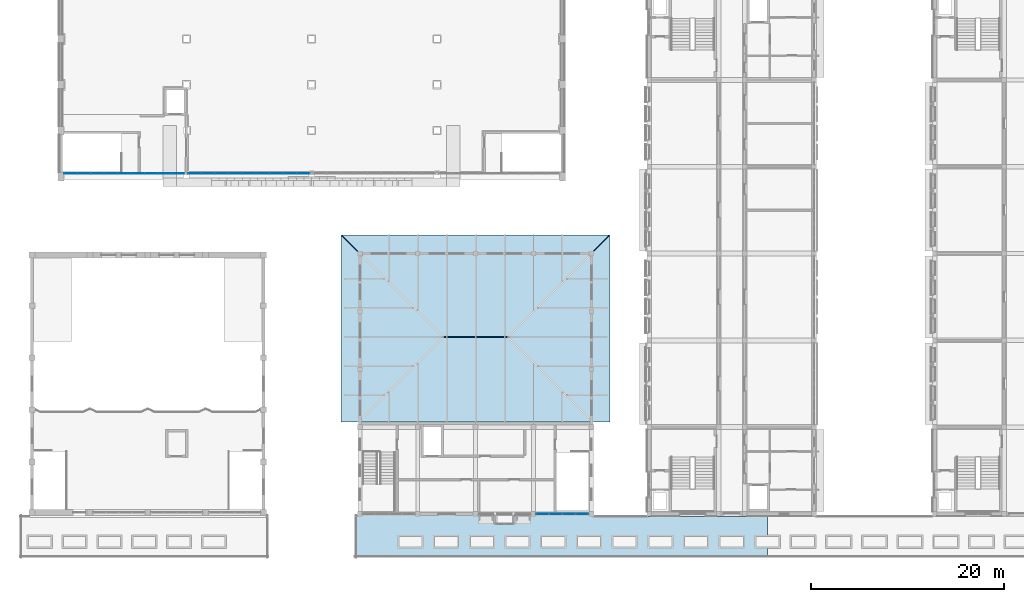
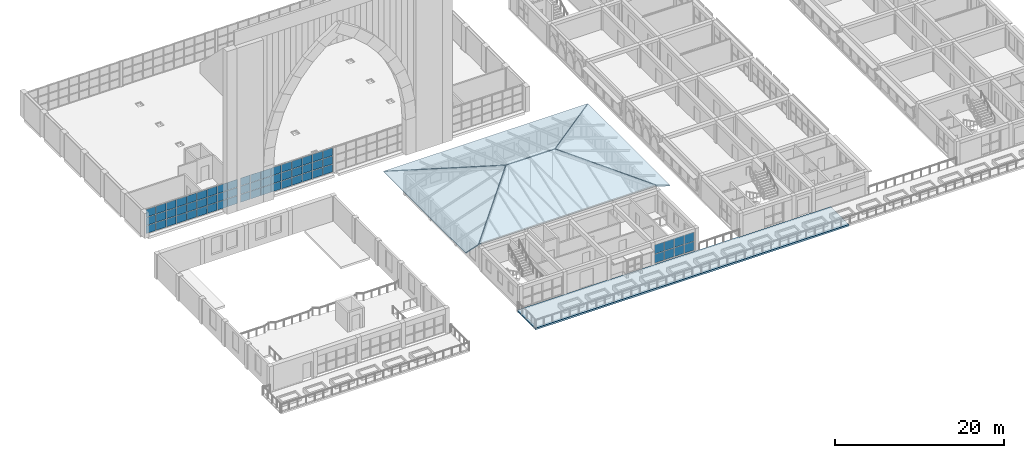
# One storey, part 35 of 82: 62 plates, 5 slabs, 3 elements without a shape of their own.
"""IFC4 building model written with IfcOpenShell, lengths in metres."""

from ifc_helpers import new_model, si_unit, direction, frame, origin, origin_2d, place, context, subcontext, project, spatial, polyline, rectangle, outline, extrude, material, layer, layer_set, type_object, element, aggregate, save


model = new_model("IFC4")

# Units and contexts
model_context = context("Model", 3, precision=1e-05, world=origin(), true_north=direction((0.0, 1.0)))
body_context = subcontext(model_context, "Body", "Model", "MODEL_VIEW")
ifc_project = project(units=[si_unit("LENGTHUNIT", "METRE"), si_unit("AREAUNIT", "SQUARE_METRE"), si_unit("VOLUMEUNIT", "CUBIC_METRE"), si_unit("PLANEANGLEUNIT", "RADIAN"), si_unit("MASSUNIT", "GRAM", prefix="KILO")], contexts=[model_context])

# Site, building, storey
site_placement = place(None, origin())
site = spatial("IfcSite", under=ifc_project, at=site_placement, CompositionType="ELEMENT")
building_placement = place(site_placement, origin())
building = spatial("IfcBuilding", under=site, at=building_placement, Name="Elbe Cascade School", CompositionType="ELEMENT")
storey_placement = place(building_placement, frame((0.0, 0.0, 4.5)))
storey = spatial("IfcBuildingStorey", under=building, at=storey_placement, Name="L01", CompositionType="ELEMENT", Elevation=4.5)

# Curtain wall, plates
ifc_material_1 = material(Name="Cafe curtain wall")
curtain_wall_type_1 = type_object("IfcCurtainWallType", Name="Cafe curtain wall", PredefinedType="NOTDEFINED", material=ifc_material_1)
curtain_wall_1_placement = place(storey_placement, origin())
curtain_wall_1 = element("IfcCurtainWall", 1, at=curtain_wall_1_placement, inside=storey, type_object=curtain_wall_type_1, Name="Curtain wall CW1 DI.L01.cw.s3", PredefinedType="NOTDEFINED")
ifc_material_2 = material(Name="Glass - double glazed low-E", Category="glass")
ifc_layer_1 = layer(ifc_material_2, 0.028076171875)
ifc_layer_set_1 = layer_set([ifc_layer_1], Name="Glass - double glazed low-E")
plate_type_1 = type_object("IfcPlateType", Name="Cafe curtain wall glazing panel 28", PredefinedType="CURTAIN_PANEL", material=ifc_layer_set_1)
plate_1_placement = place(storey_placement, frame((57.952392578125, 6.0, 0.06005859375), z_axis=(0.0, 0.0, 1.0), x_axis=(1.0, 0.0, 0.0)))
plate_1 = element("IfcPlate", 2, at=plate_1_placement, type_object=plate_type_1, Name="CW1 panel 1.1", PredefinedType="CURTAIN_PANEL", context=body_context, shape_type="SweptSolid", body=[
    extrude(rectangle(XDim=1.284912109375, YDim=0.028076171875, at=origin_2d()), origin(), (0.0, 0.0, 1.0), 1.260009765625),
])
plate_2_placement = place(storey_placement, frame((57.952392578125, 6.0, 1.3798828125), z_axis=(0.0, 0.0, 1.0), x_axis=(1.0, 0.0, 0.0)))
plate_2 = element("IfcPlate", 3, at=plate_2_placement, type_object=plate_type_1, Name="CW1 panel 1.2", PredefinedType="CURTAIN_PANEL", context=body_context, shape_type="SweptSolid", body=[
    extrude(rectangle(XDim=1.284912109375, YDim=0.028076171875, at=origin_2d()), origin(), (0.0, 0.0, 1.0), 1.31005859375),
])
plate_3_placement = place(storey_placement, frame((59.3125, 6.0, 0.06005859375), z_axis=(0.0, 0.0, 1.0), x_axis=(1.0, 0.0, 0.0)))
plate_3 = element("IfcPlate", 4, at=plate_3_placement, type_object=plate_type_1, Name="CW1 panel 2.1", PredefinedType="CURTAIN_PANEL", context=body_context, shape_type="SweptSolid", body=[
    extrude(rectangle(XDim=1.31494140625, YDim=0.028076171875, at=origin_2d()), origin(), (0.0, 0.0, 1.0), 1.260009765625),
])
plate_4_placement = place(storey_placement, frame((59.3125, 6.0, 1.3798828125), z_axis=(0.0, 0.0, 1.0), x_axis=(1.0, 0.0, 0.0)))
plate_4 = element("IfcPlate", 5, at=plate_4_placement, type_object=plate_type_1, Name="CW1 panel 2.2", PredefinedType="CURTAIN_PANEL", context=body_context, shape_type="SweptSolid", body=[
    extrude(rectangle(XDim=1.31494140625, YDim=0.028076171875, at=origin_2d()), origin(), (0.0, 0.0, 1.0), 1.31005859375),
])
plate_5_placement = place(storey_placement, frame((60.6875, 6.0, 0.06005859375), z_axis=(0.0, 0.0, 1.0), x_axis=(1.0, 0.0, 0.0)))
plate_5 = element("IfcPlate", 6, at=plate_5_placement, type_object=plate_type_1, Name="CW1 panel 3.1", PredefinedType="CURTAIN_PANEL", context=body_context, shape_type="SweptSolid", body=[
    extrude(rectangle(XDim=1.31494140625, YDim=0.028076171875, at=origin_2d()), origin(), (0.0, 0.0, 1.0), 1.260009765625),
])
plate_6_placement = place(storey_placement, frame((60.6875, 6.0, 1.3798828125), z_axis=(0.0, 0.0, 1.0), x_axis=(1.0, 0.0, 0.0)))
plate_6 = element("IfcPlate", 7, at=plate_6_placement, type_object=plate_type_1, Name="CW1 panel 3.2", PredefinedType="CURTAIN_PANEL", context=body_context, shape_type="SweptSolid", body=[
    extrude(rectangle(XDim=1.31494140625, YDim=0.028076171875, at=origin_2d()), origin(), (0.0, 0.0, 1.0), 1.31005859375),
])
plate_7_placement = place(storey_placement, frame((62.047607421875, 6.0, 0.06005859375), z_axis=(0.0, 0.0, 1.0), x_axis=(1.0, 0.0, 0.0)))
plate_7 = element("IfcPlate", 8, at=plate_7_placement, type_object=plate_type_1, Name="CW1 panel 4.1", PredefinedType="CURTAIN_PANEL", context=body_context, shape_type="SweptSolid", body=[
    extrude(rectangle(XDim=1.284912109375, YDim=0.028076171875, at=origin_2d()), origin(), (0.0, 0.0, 1.0), 1.260009765625),
])
plate_8_placement = place(storey_placement, frame((62.047607421875, 6.0, 1.3798828125), z_axis=(0.0, 0.0, 1.0), x_axis=(1.0, 0.0, 0.0)))
plate_8 = element("IfcPlate", 9, at=plate_8_placement, type_object=plate_type_1, Name="CW1 panel 4.2", PredefinedType="CURTAIN_PANEL", context=body_context, shape_type="SweptSolid", body=[
    extrude(rectangle(XDim=1.284912109375, YDim=0.028076171875, at=origin_2d()), origin(), (0.0, 0.0, 1.0), 1.31005859375),
])
aggregate(curtain_wall_1, [plate_1, plate_2, plate_3, plate_4, plate_5, plate_6, plate_7, plate_8])

# Slabs
ifc_material_3 = material(Name="Concrete C35/45", Category="concrete")
ifc_layer_2 = layer(ifc_material_3, 0.25)
ifc_layer_set_2 = layer_set([ifc_layer_2], Name="Concrete C35/45")
slab_type_1 = type_object("IfcSlabType", Name="Colonnade roof slab 250", PredefinedType="ROOF", material=ifc_layer_set_2)
slab_1_placement = place(storey_placement, frame((0.0, 0.0, -0.25)))
element("IfcSlab", 10, at=slab_1_placement, inside=storey, type_object=slab_type_1, Name="Colonnade roof slab 2.1", PredefinedType="ROOF", context=body_context, shape_type="SweptSolid", body=[
    extrude(outline(polyline([(81.239990234375, 1.5), (81.239990234375, 5.75), (68.75, 5.75), (68.75, 5.820068359375), (38.5, 5.820068359375), (38.5, 1.5), (81.239990234375, 1.5)])), origin(), (0.0, 0.0, 1.0), 0.25),
])
ifc_material_4 = material(Name="Steel S350GD+Z profiled roof deck", Category="steel")
ifc_layer_3 = layer(ifc_material_4, 0.14990234375)
ifc_layer_set_3 = layer_set([ifc_layer_3], Name="Steel S350GD+Z profiled roof deck")
slab_type_2 = type_object("IfcSlabType", Name="Dining roof deck 150", PredefinedType="ROOF", material=ifc_layer_set_3)
slab_2_placement = place(storey_placement, frame((47.664794921875, 24.31396484375, 6.4560546875), z_axis=(0.0, -0.322683054447, 0.946507076768), x_axis=(1.0, 0.0, 0.0)))
element("IfcSlab", 11, at=slab_2_placement, inside=storey, type_object=slab_type_2, Name="Dining roof deck 150 S26", PredefinedType="ROOF", context=body_context, shape_type="SweptSolid", body=[
    extrude(outline(polyline([(0.0, 0.0), (6.67041015625, 0.0), (15.434326171875, -9.25921869020493), (-8.763916015625, -9.25921869020493), (0.0, 0.0)])), origin(), (0.0, 0.0, -1.0), 0.14990234375),
])
slab_3_placement = place(storey_placement, frame((37.050048828125, 34.899169921875, 2.854736328125), z_axis=(-0.322666940585, -3.4003e-07, 0.946512570151), x_axis=(0.687417114659, -0.687416965715, 0.234340832383)))
element("IfcSlab", 12, at=slab_3_placement, inside=storey, type_object=slab_type_2, Name="Dining roof deck 150 S26", PredefinedType="ROOF", context=body_context, shape_type="SweptSolid", body=[
    extrude(outline(polyline([(0.0, 0.0), (15.345958554651885, -6.661338147750939e-16), (14.645051599055677, -12.744002153233772), (14.646993062744269, -12.759644858151338), (14.654373614336464, -12.771484038729378), (13.300914111512238, -14.052550334324817), (0.0, 0.0)])), origin(), (0.0, 0.0, -1.0), 0.14990234375),
])
slab_4_placement = place(storey_placement, frame((64.949951171875, 15.550048828125, 2.854736328125), z_axis=(0.322669954356, 3.02249e-06, 0.946511542744), x_axis=(-0.946511542748, 1.3e-11, 0.322669954357)))
element("IfcSlab", 13, at=slab_4_placement, inside=storey, type_object=slab_type_2, Name="Dining roof deck 150 S26", PredefinedType="ROOF", context=body_context, shape_type="SweptSolid", body=[
    extrude(outline(polyline([(0.0, 0.0), (1.8635942368007303, 4.235164736271502e-22), (1.866372468449661, -0.013671875523697846), (1.8747124120094358, -0.025390624761494788), (11.145201581724088, -8.800048828038111), (2.489260601339336e-10, -19.34912109366162), (0.0, 0.0)])), origin(), (0.0, 0.0, -1.0), 0.14990234375),
])
slab_5_placement = place(storey_placement, frame((47.664794921875, 24.385986328125, 6.4560546875), z_axis=(0.0, 0.32267125547, 0.946511099192), x_axis=(-0.68741644101, 0.68741644101, -0.234344347616)))
element("IfcSlab", 14, at=slab_5_placement, inside=storey, type_object=slab_type_2, Name="Dining roof deck 150 S26", PredefinedType="ROOF", context=body_context, shape_type="SweptSolid", body=[
    extrude(outline(polyline([(0.0, 0.0), (15.367634833166207, -1.1102230246251565e-15), (-3.7414010081992854, -20.188918923063408), (-4.585349609683547, -4.844475266690717), (0.0, 0.0)])), origin(), (0.0, 0.0, -1.0), 0.14990234375),
])

# Curtain wall, plates
ifc_material_5 = material(Name="Glass - double glazed low-E", Category="glass")
curtain_wall_type_2 = type_object("IfcCurtainWallType", Name="Hall gable curtain wall", PredefinedType="NOTDEFINED", material=ifc_material_5)
curtain_wall_2_placement = place(storey_placement, origin())
curtain_wall_2 = element("IfcCurtainWall", 15, at=curtain_wall_2_placement, inside=storey, type_object=curtain_wall_type_2, Name="Gable curtain wall S1", PredefinedType="NOTDEFINED")
ifc_material_6 = material(Name="Glass - double glazed low-E", Category="glass")
ifc_layer_4 = layer(ifc_material_6, 0.028076171875)
ifc_layer_set_4 = layer_set([ifc_layer_4], Name="Glass - double glazed low-E")
plate_type_2 = type_object("IfcPlateType", Name="Hall gable glass panel", PredefinedType="CURTAIN_PANEL", material=ifc_layer_set_4)
plate_9_placement = place(storey_placement, frame((9.01220703125, 41.300048828125, 0.06005859375), z_axis=(0.0, 0.0, 1.0), x_axis=(1.0, 0.0, 0.0)))
plate_9 = element("IfcPlate", 16, at=plate_9_placement, type_object=plate_type_2, Name="CW6 panel 1.1", PredefinedType="CURTAIN_PANEL", context=body_context, shape_type="SweptSolid", body=[
    extrude(rectangle(XDim=1.304443359375, YDim=0.028076171875, at=origin_2d()), origin(), (0.0, 0.0, 1.0), 1.110107421875),
])
plate_10_placement = place(storey_placement, frame((9.01220703125, 41.300048828125, 1.22998046875), z_axis=(0.0, 0.0, 1.0), x_axis=(1.0, 0.0, 0.0)))
plate_10 = element("IfcPlate", 17, at=plate_10_placement, type_object=plate_type_2, Name="CW6 panel 1.2", PredefinedType="CURTAIN_PANEL", context=body_context, shape_type="SweptSolid", body=[
    extrude(rectangle(XDim=1.304443359375, YDim=0.028076171875, at=origin_2d()), origin(), (0.0, 0.0, 1.0), 1.139892578125),
])
plate_11_placement = place(storey_placement, frame((9.01220703125, 41.300048828125, 2.43017578125), z_axis=(0.0, 0.0, 1.0), x_axis=(1.0, 0.0, 0.0)))
plate_11 = element("IfcPlate", 18, at=plate_11_placement, type_object=plate_type_2, Name="CW6 panel 1.3", PredefinedType="CURTAIN_PANEL", context=body_context, shape_type="SweptSolid", body=[
    extrude(rectangle(XDim=1.304443359375, YDim=0.028076171875, at=origin_2d()), origin(), (0.0, 0.0, 1.0), 1.110107421875),
])
plate_12_placement = place(storey_placement, frame((10.3916015625, 41.300048828125, 0.06005859375), z_axis=(0.0, 0.0, 1.0), x_axis=(1.0, 0.0, 0.0)))
plate_12 = element("IfcPlate", 19, at=plate_12_placement, type_object=plate_type_2, Name="CW6 panel 2.1", PredefinedType="CURTAIN_PANEL", context=body_context, shape_type="SweptSolid", body=[
    extrude(rectangle(XDim=1.33447265625, YDim=0.028076171875, at=origin_2d()), origin(), (0.0, 0.0, 1.0), 1.110107421875),
])
plate_13_placement = place(storey_placement, frame((10.3916015625, 41.300048828125, 1.22998046875), z_axis=(0.0, 0.0, 1.0), x_axis=(1.0, 0.0, 0.0)))
plate_13 = element("IfcPlate", 20, at=plate_13_placement, type_object=plate_type_2, Name="CW6 panel 2.2", PredefinedType="CURTAIN_PANEL", context=body_context, shape_type="SweptSolid", body=[
    extrude(rectangle(XDim=1.33447265625, YDim=0.028076171875, at=origin_2d()), origin(), (0.0, 0.0, 1.0), 1.139892578125),
])
plate_14_placement = place(storey_placement, frame((10.3916015625, 41.300048828125, 2.43017578125), z_axis=(0.0, 0.0, 1.0), x_axis=(1.0, 0.0, 0.0)))
plate_14 = element("IfcPlate", 21, at=plate_14_placement, type_object=plate_type_2, Name="CW6 panel 2.3", PredefinedType="CURTAIN_PANEL", context=body_context, shape_type="SweptSolid", body=[
    extrude(rectangle(XDim=1.33447265625, YDim=0.028076171875, at=origin_2d()), origin(), (0.0, 0.0, 1.0), 1.110107421875),
])
plate_15_placement = place(storey_placement, frame((11.7861328125, 41.300048828125, 0.06005859375), z_axis=(0.0, 0.0, 1.0), x_axis=(1.0, 0.0, 0.0)))
plate_15 = element("IfcPlate", 22, at=plate_15_placement, type_object=plate_type_2, Name="CW6 panel 3.1", PredefinedType="CURTAIN_PANEL", context=body_context, shape_type="SweptSolid", body=[
    extrude(rectangle(XDim=1.33447265625, YDim=0.028076171875, at=origin_2d()), origin(), (0.0, 0.0, 1.0), 1.110107421875),
])
plate_16_placement = place(storey_placement, frame((11.7861328125, 41.300048828125, 1.22998046875), z_axis=(0.0, 0.0, 1.0), x_axis=(1.0, 0.0, 0.0)))
plate_16 = element("IfcPlate", 23, at=plate_16_placement, type_object=plate_type_2, Name="CW6 panel 3.2", PredefinedType="CURTAIN_PANEL", context=body_context, shape_type="SweptSolid", body=[
    extrude(rectangle(XDim=1.33447265625, YDim=0.028076171875, at=origin_2d()), origin(), (0.0, 0.0, 1.0), 1.139892578125),
])
plate_17_placement = place(storey_placement, frame((11.7861328125, 41.300048828125, 2.43017578125), z_axis=(0.0, 0.0, 1.0), x_axis=(1.0, 0.0, 0.0)))
plate_17 = element("IfcPlate", 24, at=plate_17_placement, type_object=plate_type_2, Name="CW6 panel 3.3", PredefinedType="CURTAIN_PANEL", context=body_context, shape_type="SweptSolid", body=[
    extrude(rectangle(XDim=1.33447265625, YDim=0.028076171875, at=origin_2d()), origin(), (0.0, 0.0, 1.0), 1.110107421875),
])
plate_18_placement = place(storey_placement, frame((13.1806640625, 41.300048828125, 0.06005859375), z_axis=(0.0, 0.0, 1.0), x_axis=(1.0, 0.0, 0.0)))
plate_18 = element("IfcPlate", 25, at=plate_18_placement, type_object=plate_type_2, Name="CW6 panel 4.1", PredefinedType="CURTAIN_PANEL", context=body_context, shape_type="SweptSolid", body=[
    extrude(rectangle(XDim=1.33447265625, YDim=0.028076171875, at=origin_2d()), origin(), (0.0, 0.0, 1.0), 1.110107421875),
])
plate_19_placement = place(storey_placement, frame((13.1806640625, 41.300048828125, 1.22998046875), z_axis=(0.0, 0.0, 1.0), x_axis=(1.0, 0.0, 0.0)))
plate_19 = element("IfcPlate", 26, at=plate_19_placement, type_object=plate_type_2, Name="CW6 panel 4.2", PredefinedType="CURTAIN_PANEL", context=body_context, shape_type="SweptSolid", body=[
    extrude(rectangle(XDim=1.33447265625, YDim=0.028076171875, at=origin_2d()), origin(), (0.0, 0.0, 1.0), 1.139892578125),
])
plate_20_placement = place(storey_placement, frame((13.1806640625, 41.300048828125, 2.43017578125), z_axis=(0.0, 0.0, 1.0), x_axis=(1.0, 0.0, 0.0)))
plate_20 = element("IfcPlate", 27, at=plate_20_placement, type_object=plate_type_2, Name="CW6 panel 4.3", PredefinedType="CURTAIN_PANEL", context=body_context, shape_type="SweptSolid", body=[
    extrude(rectangle(XDim=1.33447265625, YDim=0.028076171875, at=origin_2d()), origin(), (0.0, 0.0, 1.0), 1.110107421875),
])
plate_21_placement = place(storey_placement, frame((14.574951171875, 41.300048828125, 0.06005859375), z_axis=(0.0, 0.0, 1.0), x_axis=(1.0, 0.0, 0.0)))
plate_21 = element("IfcPlate", 28, at=plate_21_placement, type_object=plate_type_2, Name="CW6 panel 5.1", PredefinedType="CURTAIN_PANEL", context=body_context, shape_type="SweptSolid", body=[
    extrude(rectangle(XDim=1.33447265625, YDim=0.028076171875, at=origin_2d()), origin(), (0.0, 0.0, 1.0), 1.110107421875),
])
plate_22_placement = place(storey_placement, frame((14.574951171875, 41.300048828125, 1.22998046875), z_axis=(0.0, 0.0, 1.0), x_axis=(1.0, 0.0, 0.0)))
plate_22 = element("IfcPlate", 29, at=plate_22_placement, type_object=plate_type_2, Name="CW6 panel 5.2", PredefinedType="CURTAIN_PANEL", context=body_context, shape_type="SweptSolid", body=[
    extrude(rectangle(XDim=1.33447265625, YDim=0.028076171875, at=origin_2d()), origin(), (0.0, 0.0, 1.0), 1.139892578125),
])
plate_23_placement = place(storey_placement, frame((14.574951171875, 41.300048828125, 2.43017578125), z_axis=(0.0, 0.0, 1.0), x_axis=(1.0, 0.0, 0.0)))
plate_23 = element("IfcPlate", 30, at=plate_23_placement, type_object=plate_type_2, Name="CW6 panel 5.3", PredefinedType="CURTAIN_PANEL", context=body_context, shape_type="SweptSolid", body=[
    extrude(rectangle(XDim=1.33447265625, YDim=0.028076171875, at=origin_2d()), origin(), (0.0, 0.0, 1.0), 1.110107421875),
])
plate_24_placement = place(storey_placement, frame((15.969482421875, 41.300048828125, 0.06005859375), z_axis=(0.0, 0.0, 1.0), x_axis=(1.0, 0.0, 0.0)))
plate_24 = element("IfcPlate", 31, at=plate_24_placement, type_object=plate_type_2, Name="CW6 panel 6.1", PredefinedType="CURTAIN_PANEL", context=body_context, shape_type="SweptSolid", body=[
    extrude(rectangle(XDim=1.33447265625, YDim=0.028076171875, at=origin_2d()), origin(), (0.0, 0.0, 1.0), 1.110107421875),
])
plate_25_placement = place(storey_placement, frame((15.969482421875, 41.300048828125, 1.22998046875), z_axis=(0.0, 0.0, 1.0), x_axis=(1.0, 0.0, 0.0)))
plate_25 = element("IfcPlate", 32, at=plate_25_placement, type_object=plate_type_2, Name="CW6 panel 6.2", PredefinedType="CURTAIN_PANEL", context=body_context, shape_type="SweptSolid", body=[
    extrude(rectangle(XDim=1.33447265625, YDim=0.028076171875, at=origin_2d()), origin(), (0.0, 0.0, 1.0), 1.139892578125),
])
plate_26_placement = place(storey_placement, frame((15.969482421875, 41.300048828125, 2.43017578125), z_axis=(0.0, 0.0, 1.0), x_axis=(1.0, 0.0, 0.0)))
plate_26 = element("IfcPlate", 33, at=plate_26_placement, type_object=plate_type_2, Name="CW6 panel 6.3", PredefinedType="CURTAIN_PANEL", context=body_context, shape_type="SweptSolid", body=[
    extrude(rectangle(XDim=1.33447265625, YDim=0.028076171875, at=origin_2d()), origin(), (0.0, 0.0, 1.0), 1.110107421875),
])
plate_27_placement = place(storey_placement, frame((17.36376953125, 41.300048828125, 0.06005859375), z_axis=(0.0, 0.0, 1.0), x_axis=(1.0, 0.0, 0.0)))
plate_27 = element("IfcPlate", 34, at=plate_27_placement, type_object=plate_type_2, Name="CW6 panel 7.1", PredefinedType="CURTAIN_PANEL", context=body_context, shape_type="SweptSolid", body=[
    extrude(rectangle(XDim=1.33447265625, YDim=0.028076171875, at=origin_2d()), origin(), (0.0, 0.0, 1.0), 1.110107421875),
])
plate_28_placement = place(storey_placement, frame((17.36376953125, 41.300048828125, 1.22998046875), z_axis=(0.0, 0.0, 1.0), x_axis=(1.0, 0.0, 0.0)))
plate_28 = element("IfcPlate", 35, at=plate_28_placement, type_object=plate_type_2, Name="CW6 panel 7.2", PredefinedType="CURTAIN_PANEL", context=body_context, shape_type="SweptSolid", body=[
    extrude(rectangle(XDim=1.33447265625, YDim=0.028076171875, at=origin_2d()), origin(), (0.0, 0.0, 1.0), 1.139892578125),
])
plate_29_placement = place(storey_placement, frame((17.36376953125, 41.300048828125, 2.43017578125), z_axis=(0.0, 0.0, 1.0), x_axis=(1.0, 0.0, 0.0)))
plate_29 = element("IfcPlate", 36, at=plate_29_placement, type_object=plate_type_2, Name="CW6 panel 7.3", PredefinedType="CURTAIN_PANEL", context=body_context, shape_type="SweptSolid", body=[
    extrude(rectangle(XDim=1.33447265625, YDim=0.028076171875, at=origin_2d()), origin(), (0.0, 0.0, 1.0), 1.110107421875),
])
plate_30_placement = place(storey_placement, frame((18.75830078125, 41.300048828125, 0.06005859375), z_axis=(0.0, 0.0, 1.0), x_axis=(1.0, 0.0, 0.0)))
plate_30 = element("IfcPlate", 37, at=plate_30_placement, type_object=plate_type_2, Name="CW6 panel 8.1", PredefinedType="CURTAIN_PANEL", context=body_context, shape_type="SweptSolid", body=[
    extrude(rectangle(XDim=1.33447265625, YDim=0.028076171875, at=origin_2d()), origin(), (0.0, 0.0, 1.0), 1.110107421875),
])
plate_31_placement = place(storey_placement, frame((18.75830078125, 41.300048828125, 1.22998046875), z_axis=(0.0, 0.0, 1.0), x_axis=(1.0, 0.0, 0.0)))
plate_31 = element("IfcPlate", 38, at=plate_31_placement, type_object=plate_type_2, Name="CW6 panel 8.2", PredefinedType="CURTAIN_PANEL", context=body_context, shape_type="SweptSolid", body=[
    extrude(rectangle(XDim=1.33447265625, YDim=0.028076171875, at=origin_2d()), origin(), (0.0, 0.0, 1.0), 1.139892578125),
])
plate_32_placement = place(storey_placement, frame((18.75830078125, 41.300048828125, 2.43017578125), z_axis=(0.0, 0.0, 1.0), x_axis=(1.0, 0.0, 0.0)))
plate_32 = element("IfcPlate", 39, at=plate_32_placement, type_object=plate_type_2, Name="CW6 panel 8.3", PredefinedType="CURTAIN_PANEL", context=body_context, shape_type="SweptSolid", body=[
    extrude(rectangle(XDim=1.33447265625, YDim=0.028076171875, at=origin_2d()), origin(), (0.0, 0.0, 1.0), 1.110107421875),
])
plate_33_placement = place(storey_placement, frame((20.1376953125, 41.300048828125, 0.06005859375), z_axis=(0.0, 0.0, 1.0), x_axis=(1.0, 0.0, 0.0)))
plate_33 = element("IfcPlate", 40, at=plate_33_placement, type_object=plate_type_2, Name="CW6 panel 9.1", PredefinedType="CURTAIN_PANEL", context=body_context, shape_type="SweptSolid", body=[
    extrude(rectangle(XDim=1.304443359375, YDim=0.028076171875, at=origin_2d()), origin(), (0.0, 0.0, 1.0), 1.110107421875),
])
plate_34_placement = place(storey_placement, frame((20.1376953125, 41.300048828125, 1.22998046875), z_axis=(0.0, 0.0, 1.0), x_axis=(1.0, 0.0, 0.0)))
plate_34 = element("IfcPlate", 41, at=plate_34_placement, type_object=plate_type_2, Name="CW6 panel 9.2", PredefinedType="CURTAIN_PANEL", context=body_context, shape_type="SweptSolid", body=[
    extrude(rectangle(XDim=1.304443359375, YDim=0.028076171875, at=origin_2d()), origin(), (0.0, 0.0, 1.0), 1.139892578125),
])
plate_35_placement = place(storey_placement, frame((20.1376953125, 41.300048828125, 2.43017578125), z_axis=(0.0, 0.0, 1.0), x_axis=(1.0, 0.0, 0.0)))
plate_35 = element("IfcPlate", 42, at=plate_35_placement, type_object=plate_type_2, Name="CW6 panel 9.3", PredefinedType="CURTAIN_PANEL", context=body_context, shape_type="SweptSolid", body=[
    extrude(rectangle(XDim=1.304443359375, YDim=0.028076171875, at=origin_2d()), origin(), (0.0, 0.0, 1.0), 1.110107421875),
])
aggregate(curtain_wall_2, [plate_9, plate_10, plate_11, plate_12, plate_13, plate_14, plate_15, plate_16, plate_17, plate_18, plate_19, plate_20, plate_21, plate_22, plate_23, plate_24, plate_25, plate_26, plate_27, plate_28, plate_29, plate_30, plate_31, plate_32, plate_33, plate_34, plate_35])

curtain_wall_3_placement = place(storey_placement, origin())
curtain_wall_3 = element("IfcCurtainWall", 43, at=curtain_wall_3_placement, inside=storey, type_object=curtain_wall_type_2, Name="Gable curtain wall S2", PredefinedType="NOTDEFINED")
plate_36_placement = place(storey_placement, frame((21.87060546875, 41.300048828125, 0.06005859375), z_axis=(0.0, 0.0, 1.0), x_axis=(1.0, 0.0, 0.0)))
plate_36 = element("IfcPlate", 44, at=plate_36_placement, type_object=plate_type_2, Name="CW6 panel 1.1", PredefinedType="CURTAIN_PANEL", context=body_context, shape_type="SweptSolid", body=[
    extrude(rectangle(XDim=1.321044921875, YDim=0.028076171875, at=origin_2d()), origin(), (0.0, 0.0, 1.0), 1.110107421875),
])
plate_37_placement = place(storey_placement, frame((21.87060546875, 41.300048828125, 1.22998046875), z_axis=(0.0, 0.0, 1.0), x_axis=(1.0, 0.0, 0.0)))
plate_37 = element("IfcPlate", 45, at=plate_37_placement, type_object=plate_type_2, Name="CW6 panel 1.2", PredefinedType="CURTAIN_PANEL", context=body_context, shape_type="SweptSolid", body=[
    extrude(rectangle(XDim=1.321044921875, YDim=0.028076171875, at=origin_2d()), origin(), (0.0, 0.0, 1.0), 1.139892578125),
])
plate_38_placement = place(storey_placement, frame((21.87060546875, 41.300048828125, 2.43017578125), z_axis=(0.0, 0.0, 1.0), x_axis=(1.0, 0.0, 0.0)))
plate_38 = element("IfcPlate", 46, at=plate_38_placement, type_object=plate_type_2, Name="CW6 panel 1.3", PredefinedType="CURTAIN_PANEL", context=body_context, shape_type="SweptSolid", body=[
    extrude(rectangle(XDim=1.321044921875, YDim=0.028076171875, at=origin_2d()), origin(), (0.0, 0.0, 1.0), 1.110107421875),
])
plate_39_placement = place(storey_placement, frame((23.2666015625, 41.300048828125, 0.06005859375), z_axis=(0.0, 0.0, 1.0), x_axis=(1.0, 0.0, 0.0)))
plate_39 = element("IfcPlate", 47, at=plate_39_placement, type_object=plate_type_2, Name="CW6 panel 2.1", PredefinedType="CURTAIN_PANEL", context=body_context, shape_type="SweptSolid", body=[
    extrude(rectangle(XDim=1.35107421875, YDim=0.028076171875, at=origin_2d()), origin(), (0.0, 0.0, 1.0), 1.110107421875),
])
plate_40_placement = place(storey_placement, frame((23.2666015625, 41.300048828125, 1.22998046875), z_axis=(0.0, 0.0, 1.0), x_axis=(1.0, 0.0, 0.0)))
plate_40 = element("IfcPlate", 48, at=plate_40_placement, type_object=plate_type_2, Name="CW6 panel 2.2", PredefinedType="CURTAIN_PANEL", context=body_context, shape_type="SweptSolid", body=[
    extrude(rectangle(XDim=1.35107421875, YDim=0.028076171875, at=origin_2d()), origin(), (0.0, 0.0, 1.0), 1.139892578125),
])
plate_41_placement = place(storey_placement, frame((23.2666015625, 41.300048828125, 2.43017578125), z_axis=(0.0, 0.0, 1.0), x_axis=(1.0, 0.0, 0.0)))
plate_41 = element("IfcPlate", 49, at=plate_41_placement, type_object=plate_type_2, Name="CW6 panel 2.3", PredefinedType="CURTAIN_PANEL", context=body_context, shape_type="SweptSolid", body=[
    extrude(rectangle(XDim=1.35107421875, YDim=0.028076171875, at=origin_2d()), origin(), (0.0, 0.0, 1.0), 1.110107421875),
])
plate_42_placement = place(storey_placement, frame((24.677734375, 41.300048828125, 0.06005859375), z_axis=(0.0, 0.0, 1.0), x_axis=(1.0, 0.0, 0.0)))
plate_42 = element("IfcPlate", 50, at=plate_42_placement, type_object=plate_type_2, Name="CW6 panel 3.1", PredefinedType="CURTAIN_PANEL", context=body_context, shape_type="SweptSolid", body=[
    extrude(rectangle(XDim=1.35107421875, YDim=0.028076171875, at=origin_2d()), origin(), (0.0, 0.0, 1.0), 1.110107421875),
])
plate_43_placement = place(storey_placement, frame((24.677734375, 41.300048828125, 1.22998046875), z_axis=(0.0, 0.0, 1.0), x_axis=(1.0, 0.0, 0.0)))
plate_43 = element("IfcPlate", 51, at=plate_43_placement, type_object=plate_type_2, Name="CW6 panel 3.2", PredefinedType="CURTAIN_PANEL", context=body_context, shape_type="SweptSolid", body=[
    extrude(rectangle(XDim=1.35107421875, YDim=0.028076171875, at=origin_2d()), origin(), (0.0, 0.0, 1.0), 1.139892578125),
])
plate_44_placement = place(storey_placement, frame((24.677734375, 41.300048828125, 2.43017578125), z_axis=(0.0, 0.0, 1.0), x_axis=(1.0, 0.0, 0.0)))
plate_44 = element("IfcPlate", 52, at=plate_44_placement, type_object=plate_type_2, Name="CW6 panel 3.3", PredefinedType="CURTAIN_PANEL", context=body_context, shape_type="SweptSolid", body=[
    extrude(rectangle(XDim=1.35107421875, YDim=0.028076171875, at=origin_2d()), origin(), (0.0, 0.0, 1.0), 1.110107421875),
])
plate_45_placement = place(storey_placement, frame((26.0888671875, 41.300048828125, 0.06005859375), z_axis=(0.0, 0.0, 1.0), x_axis=(1.0, 0.0, 0.0)))
plate_45 = element("IfcPlate", 53, at=plate_45_placement, type_object=plate_type_2, Name="CW6 panel 4.1", PredefinedType="CURTAIN_PANEL", context=body_context, shape_type="SweptSolid", body=[
    extrude(rectangle(XDim=1.35107421875, YDim=0.028076171875, at=origin_2d()), origin(), (0.0, 0.0, 1.0), 1.110107421875),
])
plate_46_placement = place(storey_placement, frame((26.0888671875, 41.300048828125, 1.22998046875), z_axis=(0.0, 0.0, 1.0), x_axis=(1.0, 0.0, 0.0)))
plate_46 = element("IfcPlate", 54, at=plate_46_placement, type_object=plate_type_2, Name="CW6 panel 4.2", PredefinedType="CURTAIN_PANEL", context=body_context, shape_type="SweptSolid", body=[
    extrude(rectangle(XDim=1.35107421875, YDim=0.028076171875, at=origin_2d()), origin(), (0.0, 0.0, 1.0), 1.139892578125),
])
plate_47_placement = place(storey_placement, frame((26.0888671875, 41.300048828125, 2.43017578125), z_axis=(0.0, 0.0, 1.0), x_axis=(1.0, 0.0, 0.0)))
plate_47 = element("IfcPlate", 55, at=plate_47_placement, type_object=plate_type_2, Name="CW6 panel 4.3", PredefinedType="CURTAIN_PANEL", context=body_context, shape_type="SweptSolid", body=[
    extrude(rectangle(XDim=1.35107421875, YDim=0.028076171875, at=origin_2d()), origin(), (0.0, 0.0, 1.0), 1.110107421875),
])
plate_48_placement = place(storey_placement, frame((27.5, 41.300048828125, 0.06005859375), z_axis=(0.0, 0.0, 1.0), x_axis=(1.0, 0.0, 0.0)))
plate_48 = element("IfcPlate", 56, at=plate_48_placement, type_object=plate_type_2, Name="CW6 panel 5.1", PredefinedType="CURTAIN_PANEL", context=body_context, shape_type="SweptSolid", body=[
    extrude(rectangle(XDim=1.35107421875, YDim=0.028076171875, at=origin_2d()), origin(), (0.0, 0.0, 1.0), 1.110107421875),
])
plate_49_placement = place(storey_placement, frame((27.5, 41.300048828125, 1.22998046875), z_axis=(0.0, 0.0, 1.0), x_axis=(1.0, 0.0, 0.0)))
plate_49 = element("IfcPlate", 57, at=plate_49_placement, type_object=plate_type_2, Name="CW6 panel 5.2", PredefinedType="CURTAIN_PANEL", context=body_context, shape_type="SweptSolid", body=[
    extrude(rectangle(XDim=1.35107421875, YDim=0.028076171875, at=origin_2d()), origin(), (0.0, 0.0, 1.0), 1.139892578125),
])
plate_50_placement = place(storey_placement, frame((27.5, 41.300048828125, 2.43017578125), z_axis=(0.0, 0.0, 1.0), x_axis=(1.0, 0.0, 0.0)))
plate_50 = element("IfcPlate", 58, at=plate_50_placement, type_object=plate_type_2, Name="CW6 panel 5.3", PredefinedType="CURTAIN_PANEL", context=body_context, shape_type="SweptSolid", body=[
    extrude(rectangle(XDim=1.35107421875, YDim=0.028076171875, at=origin_2d()), origin(), (0.0, 0.0, 1.0), 1.110107421875),
])
plate_51_placement = place(storey_placement, frame((28.9111328125, 41.300048828125, 0.06005859375), z_axis=(0.0, 0.0, 1.0), x_axis=(1.0, 0.0, 0.0)))
plate_51 = element("IfcPlate", 59, at=plate_51_placement, type_object=plate_type_2, Name="CW6 panel 6.1", PredefinedType="CURTAIN_PANEL", context=body_context, shape_type="SweptSolid", body=[
    extrude(rectangle(XDim=1.35107421875, YDim=0.028076171875, at=origin_2d()), origin(), (0.0, 0.0, 1.0), 1.110107421875),
])
plate_52_placement = place(storey_placement, frame((28.9111328125, 41.300048828125, 1.22998046875), z_axis=(0.0, 0.0, 1.0), x_axis=(1.0, 0.0, 0.0)))
plate_52 = element("IfcPlate", 60, at=plate_52_placement, type_object=plate_type_2, Name="CW6 panel 6.2", PredefinedType="CURTAIN_PANEL", context=body_context, shape_type="SweptSolid", body=[
    extrude(rectangle(XDim=1.35107421875, YDim=0.028076171875, at=origin_2d()), origin(), (0.0, 0.0, 1.0), 1.139892578125),
])
plate_53_placement = place(storey_placement, frame((28.9111328125, 41.300048828125, 2.43017578125), z_axis=(0.0, 0.0, 1.0), x_axis=(1.0, 0.0, 0.0)))
plate_53 = element("IfcPlate", 61, at=plate_53_placement, type_object=plate_type_2, Name="CW6 panel 6.3", PredefinedType="CURTAIN_PANEL", context=body_context, shape_type="SweptSolid", body=[
    extrude(rectangle(XDim=1.35107421875, YDim=0.028076171875, at=origin_2d()), origin(), (0.0, 0.0, 1.0), 1.110107421875),
])
plate_54_placement = place(storey_placement, frame((30.322265625, 41.300048828125, 0.06005859375), z_axis=(0.0, 0.0, 1.0), x_axis=(1.0, 0.0, 0.0)))
plate_54 = element("IfcPlate", 62, at=plate_54_placement, type_object=plate_type_2, Name="CW6 panel 7.1", PredefinedType="CURTAIN_PANEL", context=body_context, shape_type="SweptSolid", body=[
    extrude(rectangle(XDim=1.35107421875, YDim=0.028076171875, at=origin_2d()), origin(), (0.0, 0.0, 1.0), 1.110107421875),
])
plate_55_placement = place(storey_placement, frame((30.322265625, 41.300048828125, 1.22998046875), z_axis=(0.0, 0.0, 1.0), x_axis=(1.0, 0.0, 0.0)))
plate_55 = element("IfcPlate", 63, at=plate_55_placement, type_object=plate_type_2, Name="CW6 panel 7.2", PredefinedType="CURTAIN_PANEL", context=body_context, shape_type="SweptSolid", body=[
    extrude(rectangle(XDim=1.35107421875, YDim=0.028076171875, at=origin_2d()), origin(), (0.0, 0.0, 1.0), 1.139892578125),
])
plate_56_placement = place(storey_placement, frame((30.322265625, 41.300048828125, 2.43017578125), z_axis=(0.0, 0.0, 1.0), x_axis=(1.0, 0.0, 0.0)))
plate_56 = element("IfcPlate", 64, at=plate_56_placement, type_object=plate_type_2, Name="CW6 panel 7.3", PredefinedType="CURTAIN_PANEL", context=body_context, shape_type="SweptSolid", body=[
    extrude(rectangle(XDim=1.35107421875, YDim=0.028076171875, at=origin_2d()), origin(), (0.0, 0.0, 1.0), 1.110107421875),
])
plate_57_placement = place(storey_placement, frame((31.7333984375, 41.300048828125, 0.06005859375), z_axis=(0.0, 0.0, 1.0), x_axis=(1.0, 0.0, 0.0)))
plate_57 = element("IfcPlate", 65, at=plate_57_placement, type_object=plate_type_2, Name="CW6 panel 8.1", PredefinedType="CURTAIN_PANEL", context=body_context, shape_type="SweptSolid", body=[
    extrude(rectangle(XDim=1.35107421875, YDim=0.028076171875, at=origin_2d()), origin(), (0.0, 0.0, 1.0), 1.110107421875),
])
plate_58_placement = place(storey_placement, frame((31.7333984375, 41.300048828125, 1.22998046875), z_axis=(0.0, 0.0, 1.0), x_axis=(1.0, 0.0, 0.0)))
plate_58 = element("IfcPlate", 66, at=plate_58_placement, type_object=plate_type_2, Name="CW6 panel 8.2", PredefinedType="CURTAIN_PANEL", context=body_context, shape_type="SweptSolid", body=[
    extrude(rectangle(XDim=1.35107421875, YDim=0.028076171875, at=origin_2d()), origin(), (0.0, 0.0, 1.0), 1.139892578125),
])
plate_59_placement = place(storey_placement, frame((31.7333984375, 41.300048828125, 2.43017578125), z_axis=(0.0, 0.0, 1.0), x_axis=(1.0, 0.0, 0.0)))
plate_59 = element("IfcPlate", 67, at=plate_59_placement, type_object=plate_type_2, Name="CW6 panel 8.3", PredefinedType="CURTAIN_PANEL", context=body_context, shape_type="SweptSolid", body=[
    extrude(rectangle(XDim=1.35107421875, YDim=0.028076171875, at=origin_2d()), origin(), (0.0, 0.0, 1.0), 1.110107421875),
])
plate_60_placement = place(storey_placement, frame((33.12939453125, 41.300048828125, 0.06005859375), z_axis=(0.0, 0.0, 1.0), x_axis=(1.0, 0.0, 0.0)))
plate_60 = element("IfcPlate", 68, at=plate_60_placement, type_object=plate_type_2, Name="CW6 panel 9.1", PredefinedType="CURTAIN_PANEL", context=body_context, shape_type="SweptSolid", body=[
    extrude(rectangle(XDim=1.321044921875, YDim=0.028076171875, at=origin_2d()), origin(), (0.0, 0.0, 1.0), 1.110107421875),
])
plate_61_placement = place(storey_placement, frame((33.12939453125, 41.300048828125, 1.22998046875), z_axis=(0.0, 0.0, 1.0), x_axis=(1.0, 0.0, 0.0)))
plate_61 = element("IfcPlate", 69, at=plate_61_placement, type_object=plate_type_2, Name="CW6 panel 9.2", PredefinedType="CURTAIN_PANEL", context=body_context, shape_type="SweptSolid", body=[
    extrude(rectangle(XDim=1.321044921875, YDim=0.028076171875, at=origin_2d()), origin(), (0.0, 0.0, 1.0), 1.139892578125),
])
plate_62_placement = place(storey_placement, frame((33.12939453125, 41.300048828125, 2.43017578125), z_axis=(0.0, 0.0, 1.0), x_axis=(1.0, 0.0, 0.0)))
plate_62 = element("IfcPlate", 70, at=plate_62_placement, type_object=plate_type_2, Name="CW6 panel 9.3", PredefinedType="CURTAIN_PANEL", context=body_context, shape_type="SweptSolid", body=[
    extrude(rectangle(XDim=1.321044921875, YDim=0.028076171875, at=origin_2d()), origin(), (0.0, 0.0, 1.0), 1.110107421875),
])
aggregate(curtain_wall_3, [plate_36, plate_37, plate_38, plate_39, plate_40, plate_41, plate_42, plate_43, plate_44, plate_45, plate_46, plate_47, plate_48, plate_49, plate_50, plate_51, plate_52, plate_53, plate_54, plate_55, plate_56, plate_57, plate_58, plate_59, plate_60, plate_61, plate_62])

save(model, "model.ifc")
